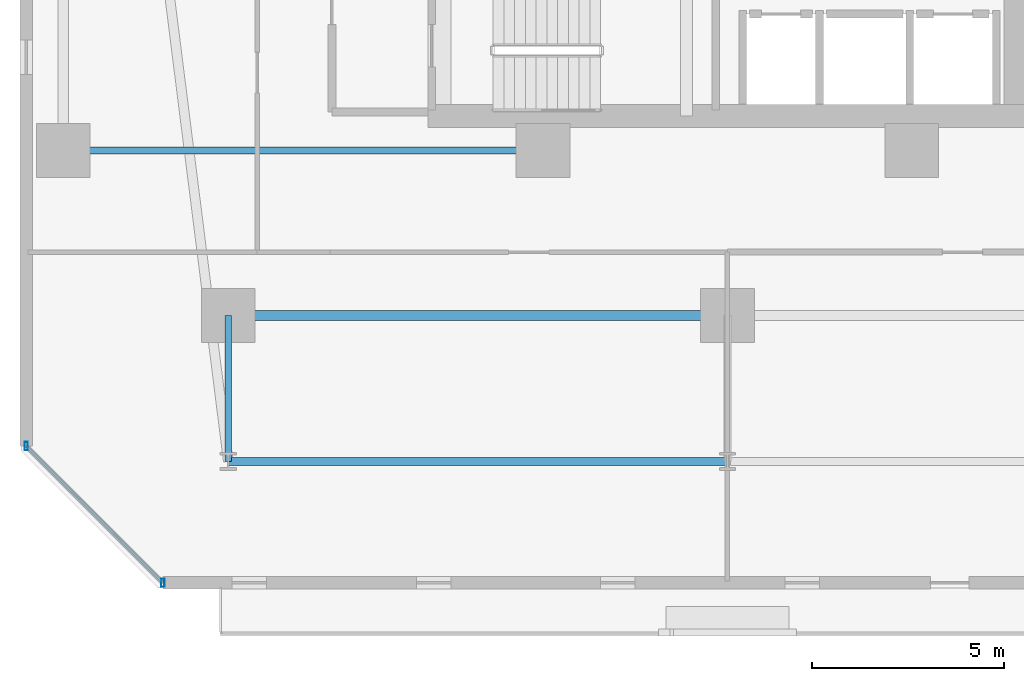
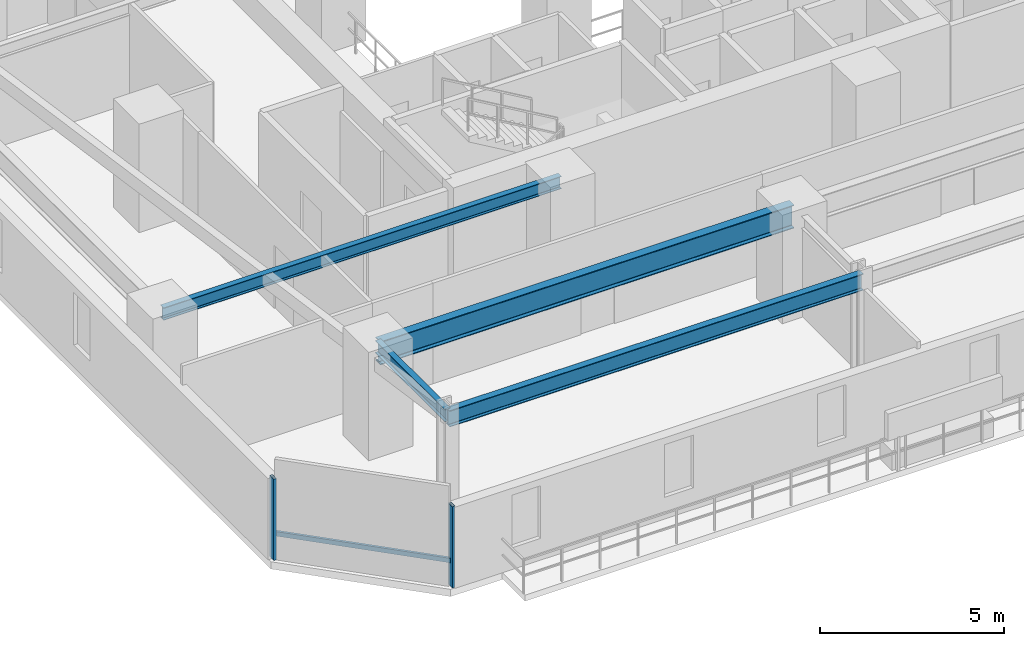
# One storey, part 3 of 34: 4 beams, 3 members, 1 element without a shape of its own.
"""IFC4 building model written with IfcOpenShell, lengths in metres."""

from ifc_helpers import new_model, si_unit, direction, frame, origin, origin_2d, place, context, subcontext, project, spatial, hollow_rectangle, i_section, extrude, material, material_profile, profile_set, type_object, element, aggregate, save


model = new_model("IFC4")

# Units and contexts
model_context = context("Model", 3, precision=1e-05, world=origin(), true_north=direction((0.0, 1.0)))
body_context = subcontext(model_context, "Body", "Model", "MODEL_VIEW")
ifc_project = project(units=[si_unit("LENGTHUNIT", "METRE"), si_unit("AREAUNIT", "SQUARE_METRE"), si_unit("VOLUMEUNIT", "CUBIC_METRE"), si_unit("PLANEANGLEUNIT", "RADIAN"), si_unit("MASSUNIT", "GRAM", prefix="KILO")], contexts=[model_context])

# Site, building, storey
site_placement = place(None, origin())
site = spatial("IfcSite", under=ifc_project, at=site_placement, CompositionType="ELEMENT")
building_placement = place(site_placement, origin())
building = spatial("IfcBuilding", under=site, at=building_placement, Name="Thornwick Lancets Civic Towers", CompositionType="ELEMENT")
storey_placement = place(building_placement, frame((0.0, 0.0, 57.300048828125)))
storey = spatial("IfcBuildingStorey", under=building, at=storey_placement, Name="L14", CompositionType="ELEMENT", Elevation=57.300048828125)

# Beams
ifc_material_1 = material(Name="Steel S355JR", Category="steel")
ifc_material_profile_1 = material_profile(ifc_material_1, i_section(OverallWidth=0.2119140625, OverallDepth=0.54443359375, WebThickness=0.0126953125, FlangeThickness=0.021240234375, FilletRadius=0.0126953125, at=origin_2d()), Name="UKB 533x210x122")
ifc_profile_set_1 = profile_set([ifc_material_profile_1], Name="Steel S355JR")
beam_type_1 = type_object("IfcBeamType", Name="BM_EDGE_533_122", PredefinedType="SPANDREL", material=ifc_profile_set_1)
beam_1_placement = place(storey_placement, frame((12.5, 5.89990234375, 3.087646484375), z_axis=(1.0, 0.0, 0.0), x_axis=(0.0, 1.0, 0.0)))
element("IfcBeam", 1, at=beam_1_placement, inside=storey, type_object=beam_type_1, Name="BM-EDGE-L14-A-S0-1", PredefinedType="SPANDREL", context=body_context, shape_type="SweptSolid", body=[
    extrude(i_section(OverallWidth=0.2119140625, OverallDepth=0.54443359375, WebThickness=0.0126953125, FlangeThickness=0.021240234375, FilletRadius=0.0126953125, at=origin_2d()), origin(), (0.0, 0.0, 1.0), 13.0),
])
ifc_material_profile_2 = material_profile(ifc_material_1, i_section(OverallWidth=0.26806640625, OverallDepth=0.769775390625, WebThickness=0.015625, FlangeThickness=0.025390625, FilletRadius=0.0166015625, at=origin_2d()), Name="UKB 762x267x197")
ifc_profile_set_2 = profile_set([ifc_material_profile_2], Name="Steel S355JR")
beam_type_2 = type_object("IfcBeamType", Name="BM_GIRD_762_197", PredefinedType="BEAM", material=ifc_profile_set_2)
beam_2_placement = place(storey_placement, frame((12.5, 9.699951171875, 2.97509765625), z_axis=(1.0, 0.0, 0.0), x_axis=(0.0, 1.0, 0.0)))
element("IfcBeam", 2, at=beam_2_placement, inside=storey, type_object=beam_type_2, Name="BM-SPINE-L14-A-0-1", PredefinedType="BEAM", context=body_context, shape_type="SweptSolid", body=[
    extrude(i_section(OverallWidth=0.26806640625, OverallDepth=0.769775390625, WebThickness=0.015625, FlangeThickness=0.025390625, FilletRadius=0.0166015625, at=origin_2d()), origin(), (0.0, 0.0, 1.0), 13.0),
])
ifc_material_profile_3 = material_profile(ifc_material_1, i_section(OverallWidth=0.179443359375, OverallDepth=0.412841796875, WebThickness=0.009521484375, FlangeThickness=0.01611328125, FilletRadius=0.01025390625, at=origin_2d()), Name="UKB 406x178x74")
ifc_profile_set_3 = profile_set([ifc_material_profile_3], Name="Steel S355JR")
beam_type_3 = type_object("IfcBeamType", Name="BM_JOIST_406_74", PredefinedType="JOIST", material=ifc_profile_set_3)
beam_3_placement = place(storey_placement, frame((12.5, 9.699951171875, 3.153564453125), z_axis=(0.0, -1.0, 0.0), x_axis=(1.0, 0.0, 0.0)))
element("IfcBeam", 3, at=beam_3_placement, inside=storey, type_object=beam_type_3, Name="BM-RAD-L14-A01", PredefinedType="JOIST", context=body_context, shape_type="SweptSolid", body=[
    extrude(i_section(OverallWidth=0.179443359375, OverallDepth=0.412841796875, WebThickness=0.009521484375, FlangeThickness=0.01611328125, FilletRadius=0.01025390625, at=origin_2d()), origin(), (0.0, 0.0, 1.0), 3.800048828125),
])
beam_4_placement = place(storey_placement, frame((20.699951171875, 14.0, 3.153564453125), z_axis=(-1.0, 0.0, 0.0), x_axis=(0.0, -1.0, 0.0)))
element("IfcBeam", 4, at=beam_4_placement, inside=storey, type_object=beam_type_3, Name="BM-RADIN-L14-A10", PredefinedType="JOIST", context=body_context, shape_type="SweptSolid", body=[
    extrude(i_section(OverallWidth=0.179443359375, OverallDepth=0.412841796875, WebThickness=0.009521484375, FlangeThickness=0.01611328125, FilletRadius=0.01025390625, at=origin_2d()), origin(), (0.0, 0.0, 1.0), 12.5),
])

# Curtain wall, members
ifc_material_2 = material(Name="Low-zone chamfered-corner unitised glass curtain wall", Category="glass")
curtain_wall_type = type_object("IfcCurtainWallType", Name="CW_SYS_03", PredefinedType="NOTDEFINED", material=ifc_material_2)
curtain_wall_placement = place(storey_placement, origin())
curtain_wall = element("IfcCurtainWall", 5, at=curtain_wall_placement, inside=storey, type_object=curtain_wall_type, Name="L14 Curtain Wall CW-L14-A-E7", PredefinedType="NOTDEFINED")
ifc_material_3 = material(Name="Thermally broken bronze aluminium S355", Category="steel")
ifc_material_profile_4 = material_profile(ifc_material_3, hollow_rectangle(XDim=0.090087890625, YDim=0.219970703125, WallThickness=0.00634765625, at=origin_2d()), Name="RHS 220x90x6.3")
ifc_profile_set_4 = profile_set([ifc_material_profile_4], Name="Thermally broken bronze aluminium S355")
member_type_1 = type_object("IfcMemberType", Name="CW_MUL_220", PredefinedType="MULLION", material=ifc_profile_set_4)
member_1_placement = place(storey_placement, frame((7.23828125, 6.297119140625, 0.0), z_axis=(0.0, 0.0, 1.0), x_axis=(1.0, 0.0, 0.0)))
member_1 = element("IfcMember", 6, at=member_1_placement, type_object=member_type_1, Name="CW-L14-A-E7 Mullion 0", PredefinedType="MULLION", context=body_context, shape_type="SweptSolid", body=[
    extrude(hollow_rectangle(XDim=0.090087890625, YDim=0.219970703125, WallThickness=0.00634765625, at=origin_2d()), origin(), (0.0, 0.0, 1.0), 2.699951171875),
])
member_2_placement = place(storey_placement, frame((10.797119140625, 2.73828125, 0.0), z_axis=(0.0, 0.0, 1.0), x_axis=(1.0, 0.0, 0.0)))
member_2 = element("IfcMember", 7, at=member_2_placement, type_object=member_type_1, Name="CW-L14-A-E7 Mullion 1", PredefinedType="MULLION", context=body_context, shape_type="SweptSolid", body=[
    extrude(hollow_rectangle(XDim=0.090087890625, YDim=0.219970703125, WallThickness=0.00634765625, at=origin_2d()), origin(), (0.0, 0.0, 1.0), 2.699951171875),
])
ifc_material_profile_5 = material_profile(ifc_material_3, hollow_rectangle(XDim=0.074951171875, YDim=0.14990234375, WallThickness=0.0048828125, at=origin_2d()), Name="RHS 150x75x5")
ifc_profile_set_5 = profile_set([ifc_material_profile_5], Name="Thermally broken bronze aluminium S355")
member_type_2 = type_object("IfcMemberType", Name="CW_TRN_150", PredefinedType="USERDEFINED", material=ifc_profile_set_5)
member_3_placement = place(storey_placement, frame((7.25244140625, 6.283203125, 0.849853515625), z_axis=(0.707106781187, -0.707106781187, 0.0), x_axis=(0.707106781187, 0.707106781187, 0.0)))
member_3 = element("IfcMember", 8, at=member_3_placement, type_object=member_type_2, Name="CW-L14-A-E7 Transom 0", ObjectType="TRANSOM", PredefinedType="USERDEFINED", context=body_context, shape_type="SweptSolid", body=[
    extrude(hollow_rectangle(XDim=0.074951171875, YDim=0.14990234375, WallThickness=0.0048828125, at=origin_2d()), origin(), (0.0, 0.0, 1.0), 4.9931640625),
])
aggregate(curtain_wall, [member_1, member_2, member_3])

save(model, "model.ifc")
